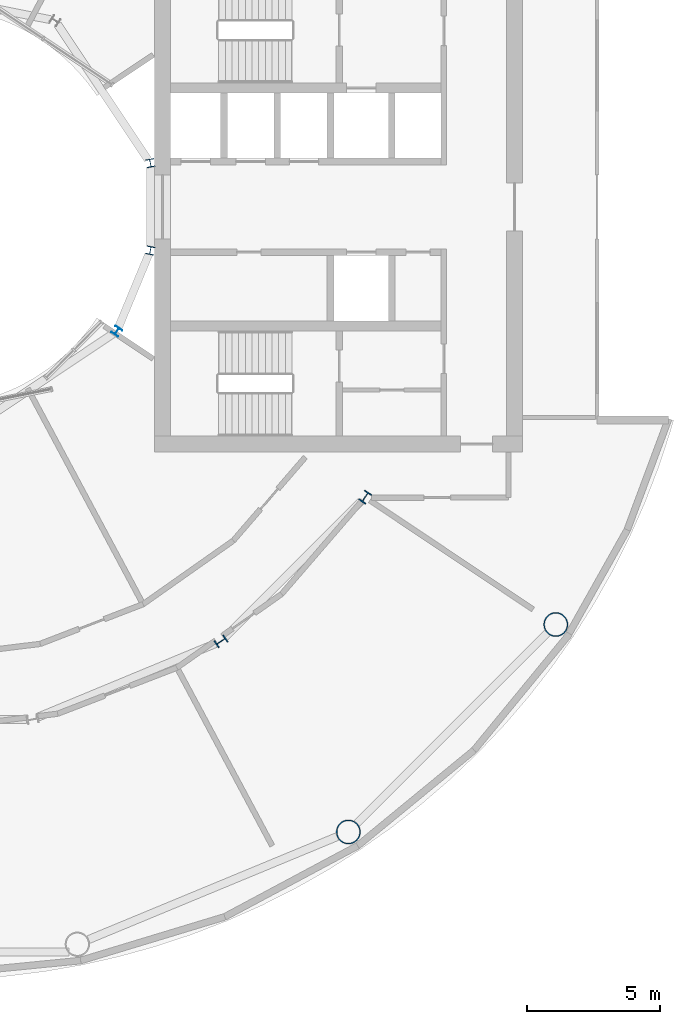
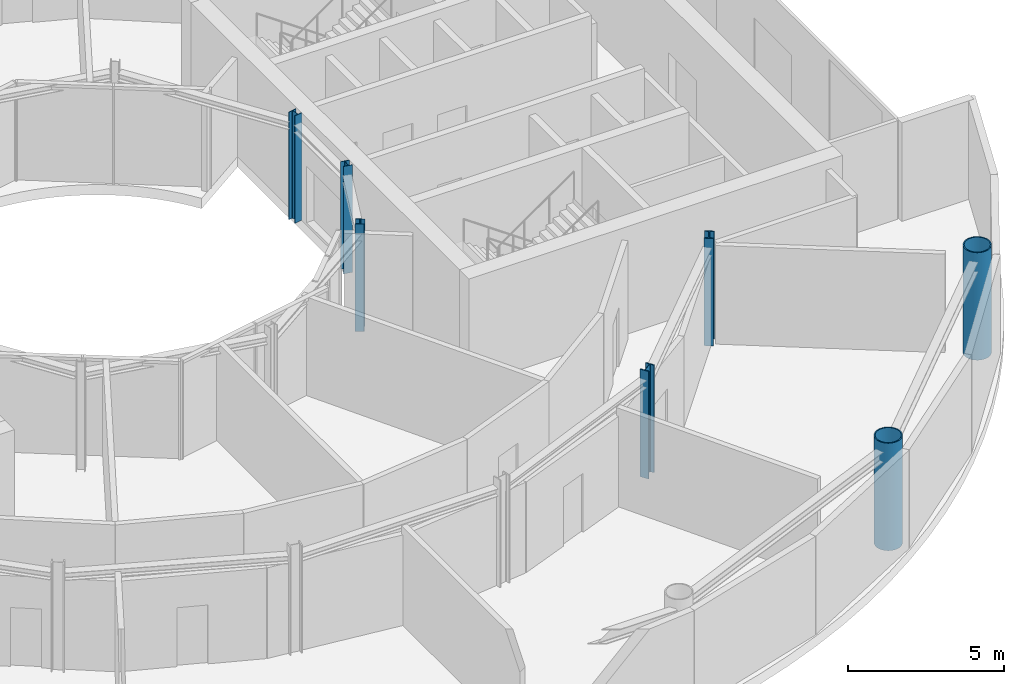
# One storey, part 2 of 18: 7 columns.
"""IFC4 building model written with IfcOpenShell, lengths in metres."""

from ifc_helpers import new_model, si_unit, direction, frame, origin, origin_2d, place, context, subcontext, project, spatial, hollow_circle, i_section, extrude, material, material_profile, profile_set, type_object, element, save


model = new_model("IFC4")

# Units and contexts
model_context = context("Model", 3, precision=1e-05, world=origin(), true_north=direction((0.0, 1.0)))
body_context = subcontext(model_context, "Body", "Model", "MODEL_VIEW")
ifc_project = project(units=[si_unit("LENGTHUNIT", "METRE"), si_unit("AREAUNIT", "SQUARE_METRE"), si_unit("VOLUMEUNIT", "CUBIC_METRE"), si_unit("PLANEANGLEUNIT", "RADIAN"), si_unit("MASSUNIT", "GRAM", prefix="KILO")], contexts=[model_context])

# Site, building, storey
site_placement = place(None, origin())
site = spatial("IfcSite", under=ifc_project, at=site_placement, CompositionType="ELEMENT")
building_placement = place(site_placement, origin())
building = spatial("IfcBuilding", under=site, at=building_placement, Name="Maasbend Ring Residences", CompositionType="ELEMENT")
storey_placement = place(building_placement, frame((0.0, 0.0, 103.25)))
storey = spatial("IfcBuildingStorey", under=building, at=storey_placement, Name="L29", CompositionType="ELEMENT", Elevation=103.25)

# Columns
ifc_material_1 = material(Name="Composite concrete-filled steel tube S460NH / C80/95", Category="concrete")
ifc_material_profile_1 = material_profile(ifc_material_1, hollow_circle(Radius=0.45703125, WallThickness=0.0400390625, at=origin_2d()), Name="Composite tube column CHS 914x40")
ifc_profile_set_1 = profile_set([ifc_material_profile_1], Name="Composite concrete-filled steel tube S460NH / C80/95")
column_type_1 = type_object("IfcColumnType", Name="Composite tube column CHS 914x40", PredefinedType="COLUMN", material=ifc_profile_set_1)
for number, where, z_axis, x_axis, name in (
    (1, (15.6669921875, -23.447509765625, 0.0), (0.0, 0.0, 1.0), (1.0, 0.0, 0.0), "Outer column R14"),
    (2, (23.447509765625, -15.6669921875, 0.0), (0.0, 0.0, 1.0), (1.0, 0.0, 0.0), "Outer column R15"),
):
    element("IfcColumn", number, at=place(storey_placement, frame(where, z_axis=z_axis, x_axis=x_axis)), inside=storey, type_object=column_type_1, Name=name, PredefinedType="COLUMN", context=body_context, shape_type="SweptSolid", body=[
        extrude(hollow_circle(Radius=0.45703125, WallThickness=0.0400390625, at=origin_2d()), origin(), (0.0, 0.0, 1.0), 4.199951171875),
    ])
ifc_material_2 = material(Name="Steel S355J2", Category="steel")
ifc_material_profile_2 = material_profile(ifc_material_2, i_section(OverallWidth=0.300048828125, OverallDepth=0.300048828125, WebThickness=0.010986328125, FlangeThickness=0.01904296875, FilletRadius=0.027099609375, at=origin_2d()), Name="HEB 300")
ifc_profile_set_2 = profile_set([ifc_material_profile_2], Name="Steel S355J2")
column_type_2 = type_object("IfcColumnType", Name="Steel column HEB 300", PredefinedType="COLUMN", material=ifc_profile_set_2)
for number, where, z_axis, x_axis, name in (
    (3, (8.238525390625, 1.638916015625, 0.0), (0.0, 0.0, 1.0), (0.980785280403, 0.195090322016, 0.0), "Well ring column R1"),
    (4, (6.984375, -4.666748046875, 0.0), (0.0, 0.0, 1.0), (0.831469612303, -0.55557023302, 0.0), "Well ring column R15"),
    (5, (8.238525390625, -1.638916015625, 0.0), (0.0, 0.0, 1.0), (0.980785280403, -0.195090322016, 0.0), "Well ring column R16"),
):
    element("IfcColumn", number, at=place(storey_placement, frame(where, z_axis=z_axis, x_axis=x_axis)), inside=storey, type_object=column_type_2, Name=name, PredefinedType="COLUMN", context=body_context, shape_type="SweptSolid", body=[
        extrude(i_section(OverallWidth=0.300048828125, OverallDepth=0.300048828125, WebThickness=0.010986328125, FlangeThickness=0.01904296875, FilletRadius=0.027099609375, at=origin_2d()), origin(), (0.0, 0.0, 1.0), 4.199951171875),
    ])
ifc_material_3 = material(Name="Steel S460M", Category="steel")
ifc_material_profile_3 = material_profile(ifc_material_3, i_section(OverallWidth=0.306884765625, OverallDepth=0.431884765625, WebThickness=0.02099609375, FlangeThickness=0.0400390625, FilletRadius=0.027099609375, at=origin_2d()), Name="HEM 400")
ifc_profile_set_3 = profile_set([ifc_material_profile_3], Name="Steel S460M")
column_type_3 = type_object("IfcColumnType", Name="Steel column HEM 400", PredefinedType="COLUMN", material=ifc_profile_set_3)
for number, where, z_axis, x_axis, name in (
    (6, (10.88916015625, -16.296875, 0.0), (0.0, 0.0, 1.0), (0.55557023302, -0.831469612303, 0.0), "Corridor ring column R14"),
    (7, (16.296875, -10.88916015625, 0.0), (0.0, 0.0, 1.0), (0.831469612303, -0.55557023302, 0.0), "Corridor ring column R15"),
):
    element("IfcColumn", number, at=place(storey_placement, frame(where, z_axis=z_axis, x_axis=x_axis)), inside=storey, type_object=column_type_3, Name=name, PredefinedType="COLUMN", context=body_context, shape_type="SweptSolid", body=[
        extrude(i_section(OverallWidth=0.306884765625, OverallDepth=0.431884765625, WebThickness=0.02099609375, FlangeThickness=0.0400390625, FilletRadius=0.027099609375, at=origin_2d()), origin(), (0.0, 0.0, 1.0), 4.199951171875),
    ])

save(model, "model.ifc")
